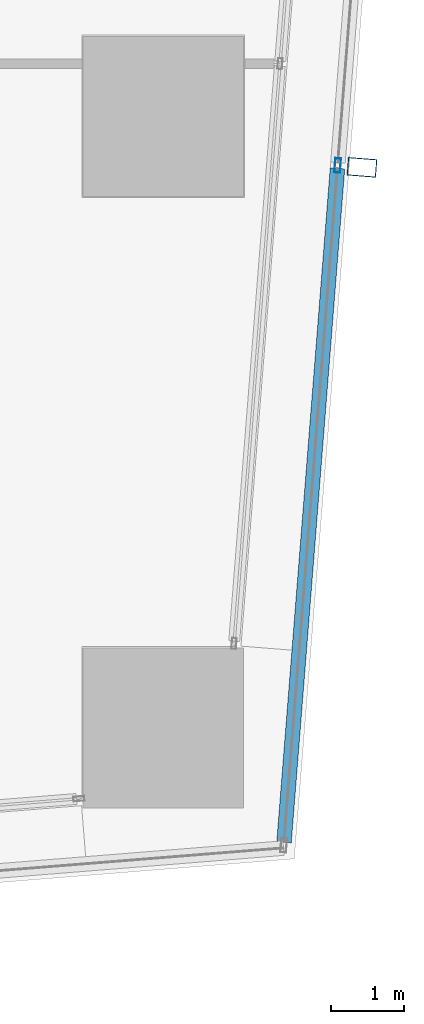
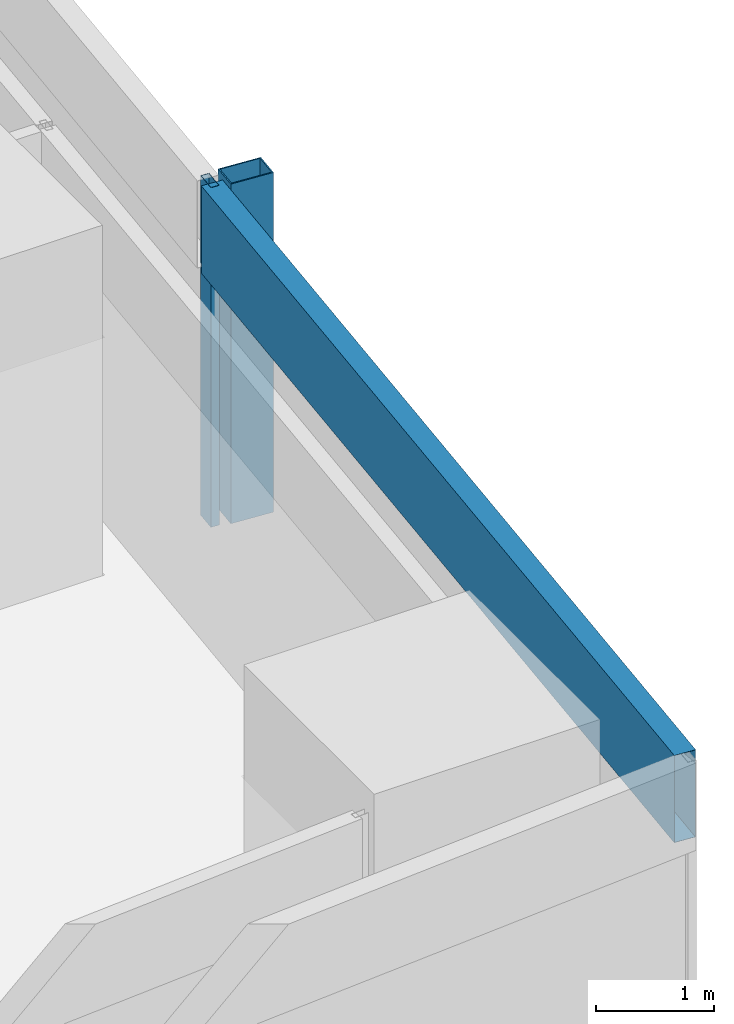
# One storey, part 25 of 44: 3 members, 1 element without a shape of its own.
"""IFC4 building model written with IfcOpenShell, lengths in metres."""

from ifc_helpers import new_model, si_unit, direction, frame, origin, origin_2d, place, context, subcontext, project, spatial, hollow_rectangle, extrude, material, material_profile, profile_set, type_object, element, aggregate, save


model = new_model("IFC4")

# Units and contexts
model_context = context("Model", 3, precision=1e-05, world=origin(), true_north=direction((0.0, 1.0)))
body_context = subcontext(model_context, "Body", "Model", "MODEL_VIEW")
ifc_project = project(units=[si_unit("LENGTHUNIT", "METRE"), si_unit("AREAUNIT", "SQUARE_METRE"), si_unit("VOLUMEUNIT", "CUBIC_METRE"), si_unit("PLANEANGLEUNIT", "RADIAN"), si_unit("MASSUNIT", "GRAM", prefix="KILO")], contexts=[model_context])

# Site, building, storey
site_placement = place(None, origin())
site = spatial("IfcSite", under=ifc_project, at=site_placement, CompositionType="ELEMENT")
building_placement = place(site_placement, origin())
building = spatial("IfcBuilding", under=site, at=building_placement, Name="Rekha Terrace Tower", CompositionType="ELEMENT")
storey_placement = place(building_placement, frame((0.0, 0.0, 51.64990234375)))
storey = spatial("IfcBuildingStorey", under=building, at=storey_placement, Name="L12", CompositionType="ELEMENT", Elevation=51.64990234375)

# Curtain wall, members
ifc_material_1 = material(Name="Aluminium framing", Category="aluminium")
curtain_wall_type = type_object("IfcCurtainWallType", Name="CW2 double skin outer glazing", PredefinedType="USERDEFINED", material=ifc_material_1)
curtain_wall_placement = place(storey_placement, origin())
curtain_wall = element("IfcCurtainWall", 1, at=curtain_wall_placement, inside=storey, type_object=curtain_wall_type, Name="CW2 double skin outer glazing", ObjectType="DOUBLE SKIN OUTER GLAZING", PredefinedType="USERDEFINED")
ifc_material_2 = material(Name="Steel S355 with fluorocarbon finish", Category="steel")
ifc_material_profile_1 = material_profile(ifc_material_2, hollow_rectangle(XDim=0.25, YDim=0.39990234375, WallThickness=0.012451171875, at=origin_2d()), Name="RHS400x250x12.5")
ifc_profile_set_1 = profile_set([ifc_material_profile_1], Name="Steel S355 with fluorocarbon finish")
member_type_1 = type_object("IfcMemberType", Name="BL1 facade blade RHS 400 x 250", PredefinedType="USERDEFINED", material=ifc_profile_set_1)
member_1_placement = place(storey_placement, frame((69.929443359375, 16.099365234375, 0.0), z_axis=(0.0, 0.0, 1.0), x_axis=(0.079116779322, 0.996865354614, 0.0)))
member_1 = element("IfcMember", 2, at=member_1_placement, type_object=member_type_1, Name="Facade blade", ObjectType="FACADE BLADE", PredefinedType="USERDEFINED", context=body_context, shape_type="SweptSolid", body=[
    extrude(hollow_rectangle(XDim=0.25, YDim=0.39990234375, WallThickness=0.012451171875, at=origin_2d()), origin(), (0.0, 0.0, 1.0), 3.5),
])
ifc_material_3 = material(Name="Aluminium mullion section", Category="aluminium")
ifc_material_profile_2 = material_profile(ifc_material_3, hollow_rectangle(XDim=0.080078125, YDim=0.199951171875, WallThickness=0.00390625, at=origin_2d()), Name="AL RHS 80x200")
ifc_profile_set_2 = profile_set([ifc_material_profile_2], Name="Aluminium mullion section")
member_type_2 = type_object("IfcMemberType", Name="CW2 mullion RHS 80 x 200", PredefinedType="MULLION", material=ifc_profile_set_2)
member_2_placement = place(storey_placement, frame((69.595458984375, 16.125732421875, 0.0), z_axis=(0.0, 0.0, 1.0), x_axis=(-0.996865392575, 0.079116301017, 0.0)))
member_2 = element("IfcMember", 3, at=member_2_placement, type_object=member_type_2, Name="CW2 mullion 2", PredefinedType="MULLION", context=body_context, shape_type="SweptSolid", body=[
    extrude(hollow_rectangle(XDim=0.080078125, YDim=0.199951171875, WallThickness=0.00390625, at=origin_2d()), origin(), (0.0, 0.0, 1.0), 3.5),
])
ifc_material_4 = material(Name="Insulated aluminium spandrel box", Category="aluminium")
ifc_material_profile_3 = material_profile(ifc_material_4, hollow_rectangle(XDim=0.199951171875, YDim=0.89990234375, WallThickness=0.0029296875, at=origin_2d()), Name="AL SPANDREL BOX 200x900")
ifc_profile_set_3 = profile_set([ifc_material_profile_3], Name="Insulated aluminium spandrel box")
member_type_3 = type_object("IfcMemberType", Name="CW2 spandrel transom 200 x 900", PredefinedType="USERDEFINED", material=ifc_profile_set_3)
member_3_placement = place(storey_placement, frame((68.857666015625, 6.828369140625, 3.050048828125), z_axis=(0.079104689968, 0.996866314019, 0.0), x_axis=(-0.996866314019, 0.079104689968, 0.0)))
member_3 = element("IfcMember", 4, at=member_3_placement, type_object=member_type_3, Name="CW2 spandrel transom 1", ObjectType="TRANSOM", PredefinedType="USERDEFINED", context=body_context, shape_type="SweptSolid", body=[
    extrude(hollow_rectangle(XDim=0.199951171875, YDim=0.89990234375, WallThickness=0.0029296875, at=origin_2d()), origin(), (0.0, 0.0, 1.0), 9.28662109375),
])
aggregate(curtain_wall, [member_2, member_3, member_1])

save(model, "model.ifc")
